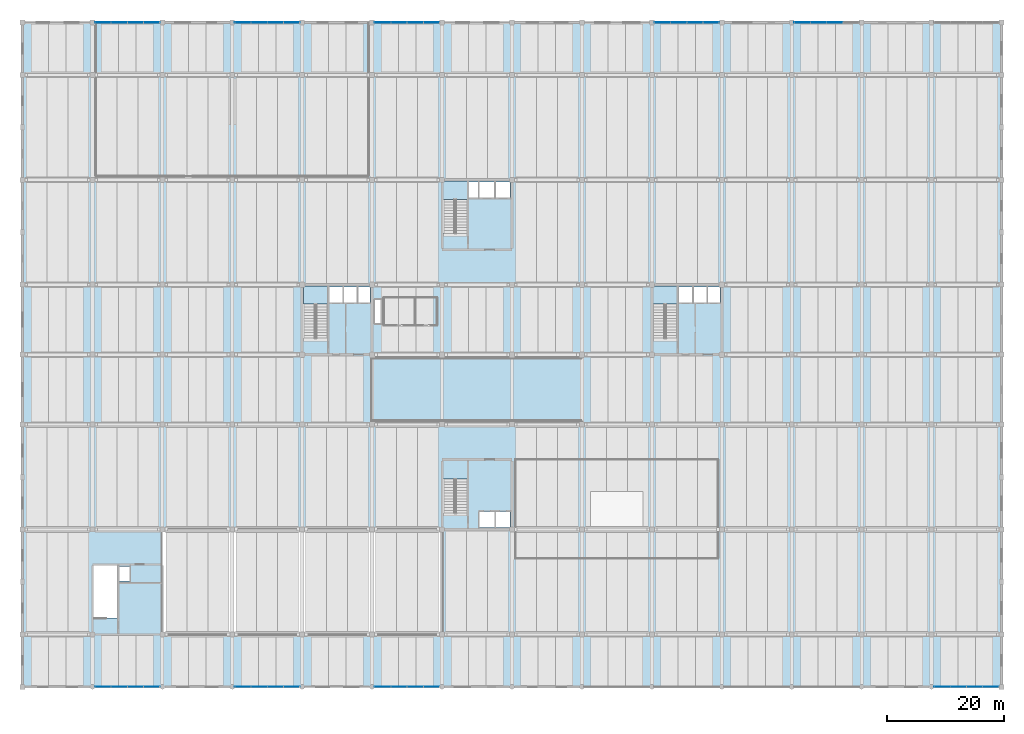
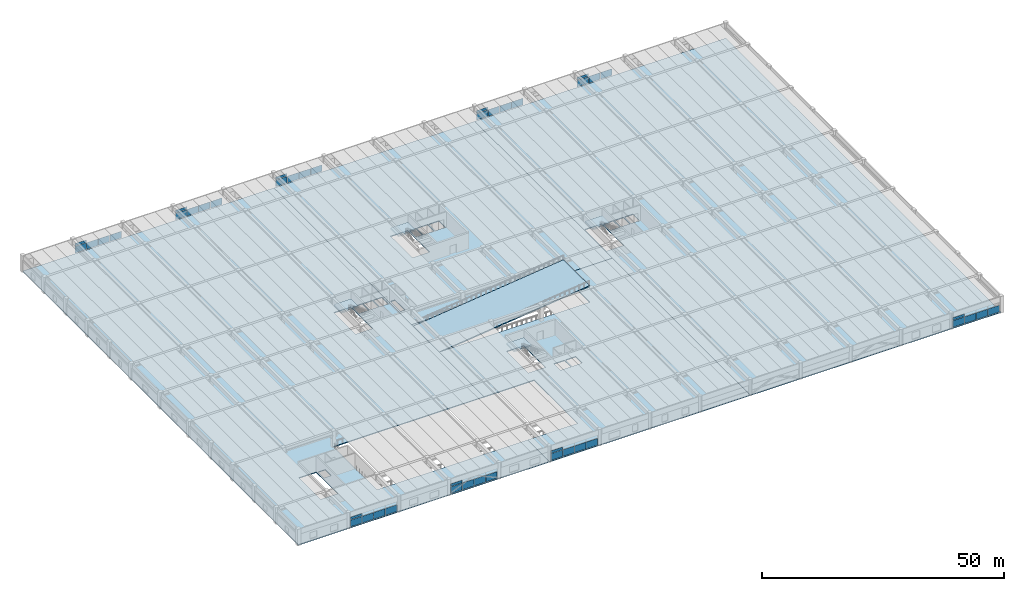
# One storey, part 31 of 50: 44 plates, 9 slabs, 13 elements without a shape of their own.
"""IFC4 building model written with IfcOpenShell, lengths in metres."""

from ifc_helpers import new_model, si_unit, direction, frame, origin, origin_2d, place, context, subcontext, project, spatial, polyline, rectangle, outline, extrude, material, layer, layer_set, type_object, element, aggregate, save


model = new_model("IFC4")

# Units and contexts
model_context = context("Model", 3, precision=1e-05, world=origin(), true_north=direction((0.0, 1.0)))
body_context = subcontext(model_context, "Body", "Model", "MODEL_VIEW")
ifc_project = project(units=[si_unit("LENGTHUNIT", "METRE"), si_unit("AREAUNIT", "SQUARE_METRE"), si_unit("VOLUMEUNIT", "CUBIC_METRE"), si_unit("PLANEANGLEUNIT", "RADIAN"), si_unit("MASSUNIT", "GRAM", prefix="KILO")], contexts=[model_context])

# Site, building, storey
site_placement = place(None, origin())
site = spatial("IfcSite", under=ifc_project, at=site_placement, CompositionType="ELEMENT")
building_placement = place(site_placement, origin())
building = spatial("IfcBuilding", under=site, at=building_placement, Name="Girod Span Mobility Hub", CompositionType="ELEMENT")
storey_placement = place(building_placement, frame((0.0, 0.0, 5.39990234375)))
storey = spatial("IfcBuildingStorey", under=building, at=storey_placement, Name="L01", CompositionType="ELEMENT", Elevation=5.39990234375)

# Curtain wall, plate
ifc_material_1 = material(Name="Thermally Broken Anodised Aluminium", Category="aluminium")
curtain_wall_type = type_object("IfcCurtainWallType", Name="CW-1115X269", PredefinedType="USERDEFINED", material=ifc_material_1)
curtain_wall_1_placement = place(storey_placement, origin())
curtain_wall_1 = element("IfcCurtainWall", 1, at=curtain_wall_1_placement, inside=storey, type_object=curtain_wall_type, Name="Concourse Storefront CW-L01-S02 L01", ObjectType="CONCOURSE STOREFRONT", PredefinedType="USERDEFINED")
ifc_material_2 = material(Name="Double Low-E Insulated Glazing", Category="glass")
ifc_layer_1 = layer(ifc_material_2, 0.048095703125)
ifc_layer_set_1 = layer_set([ifc_layer_1], Name="Double Low-E Insulated Glazing")
plate_type_1 = type_object("IfcPlateType", Name="PLT-SPN-2719X673X48", PredefinedType="CURTAIN_PANEL", material=ifc_layer_set_1)
plate_1_placement = place(storey_placement, frame((13.817138671875, 0.0, 1.936767578125), z_axis=(0.0, 0.0, 1.0), x_axis=(1.0, 0.0, 0.0)))
plate_1 = element("IfcPlate", 2, at=plate_1_placement, type_object=plate_type_1, Name="Spandrel Glazing Panel CW-L01-S02-S1", PredefinedType="CURTAIN_PANEL", context=body_context, shape_type="SweptSolid", body=[
    extrude(rectangle(XDim=2.724609375, YDim=0.048095703125, at=origin_2d()), origin(), (0.0, 0.0, 1.0), 0.63330078125),
])

curtain_wall_2_placement = place(storey_placement, origin())
curtain_wall_2 = element("IfcCurtainWall", 3, at=curtain_wall_2_placement, inside=storey, type_object=curtain_wall_type, Name="Concourse Storefront CW-L01-S04 L01", ObjectType="CONCOURSE STOREFRONT", PredefinedType="USERDEFINED")
plate_2_placement = place(storey_placement, frame((37.817138671875, 0.0, 1.936767578125), z_axis=(0.0, 0.0, 1.0), x_axis=(1.0, 0.0, 0.0)))
plate_2 = element("IfcPlate", 4, at=plate_2_placement, type_object=plate_type_1, Name="Spandrel Glazing Panel CW-L01-S04-S1", PredefinedType="CURTAIN_PANEL", context=body_context, shape_type="SweptSolid", body=[
    extrude(rectangle(XDim=2.724609375, YDim=0.048095703125, at=origin_2d()), origin(), (0.0, 0.0, 1.0), 0.63330078125),
])

curtain_wall_3_placement = place(storey_placement, origin())
curtain_wall_3 = element("IfcCurtainWall", 5, at=curtain_wall_3_placement, inside=storey, type_object=curtain_wall_type, Name="Concourse Storefront CW-L01-S06 L01", ObjectType="CONCOURSE STOREFRONT", PredefinedType="USERDEFINED")
plate_3_placement = place(storey_placement, frame((61.817138671875, 0.0, 1.936767578125), z_axis=(0.0, 0.0, 1.0), x_axis=(1.0, 0.0, 0.0)))
plate_3 = element("IfcPlate", 6, at=plate_3_placement, type_object=plate_type_1, Name="Spandrel Glazing Panel CW-L01-S06-S1", PredefinedType="CURTAIN_PANEL", context=body_context, shape_type="SweptSolid", body=[
    extrude(rectangle(XDim=2.724609375, YDim=0.048095703125, at=origin_2d()), origin(), (0.0, 0.0, 1.0), 0.63330078125),
])

curtain_wall_4_placement = place(storey_placement, origin())
curtain_wall_4 = element("IfcCurtainWall", 7, at=curtain_wall_4_placement, inside=storey, type_object=curtain_wall_type, Name="Concourse Storefront CW-L01-S14 L01", ObjectType="CONCOURSE STOREFRONT", PredefinedType="USERDEFINED")
plate_4_placement = place(storey_placement, frame((157.817138671875, 0.0, 1.936767578125), z_axis=(0.0, 0.0, 1.0), x_axis=(1.0, 0.0, 0.0)))
plate_4 = element("IfcPlate", 8, at=plate_4_placement, type_object=plate_type_1, Name="Spandrel Glazing Panel CW-L01-S14-S1", PredefinedType="CURTAIN_PANEL", context=body_context, shape_type="SweptSolid", body=[
    extrude(rectangle(XDim=2.724609375, YDim=0.048095703125, at=origin_2d()), origin(), (0.0, 0.0, 1.0), 0.63330078125),
])

curtain_wall_5_placement = place(storey_placement, origin())
curtain_wall_5 = element("IfcCurtainWall", 9, at=curtain_wall_5_placement, inside=storey, type_object=curtain_wall_type, Name="Concourse Storefront CW-L01-N02 L01", ObjectType="CONCOURSE STOREFRONT", PredefinedType="USERDEFINED")
plate_5_placement = place(storey_placement, frame((13.817138671875, 114.0, 1.936767578125), z_axis=(0.0, 0.0, 1.0), x_axis=(1.0, 0.0, 0.0)))
plate_5 = element("IfcPlate", 10, at=plate_5_placement, type_object=plate_type_1, Name="Spandrel Glazing Panel CW-L01-N02-S1", PredefinedType="CURTAIN_PANEL", context=body_context, shape_type="SweptSolid", body=[
    extrude(rectangle(XDim=2.724609375, YDim=0.048095703125, at=origin_2d()), origin(), (0.0, 0.0, 1.0), 0.63330078125),
])

curtain_wall_6_placement = place(storey_placement, origin())
curtain_wall_6 = element("IfcCurtainWall", 11, at=curtain_wall_6_placement, inside=storey, type_object=curtain_wall_type, Name="Concourse Storefront CW-L01-N04 L01", ObjectType="CONCOURSE STOREFRONT", PredefinedType="USERDEFINED")
plate_6_placement = place(storey_placement, frame((37.817138671875, 114.0, 1.936767578125), z_axis=(0.0, 0.0, 1.0), x_axis=(1.0, 0.0, 0.0)))
plate_6 = element("IfcPlate", 12, at=plate_6_placement, type_object=plate_type_1, Name="Spandrel Glazing Panel CW-L01-N04-S1", PredefinedType="CURTAIN_PANEL", context=body_context, shape_type="SweptSolid", body=[
    extrude(rectangle(XDim=2.724609375, YDim=0.048095703125, at=origin_2d()), origin(), (0.0, 0.0, 1.0), 0.63330078125),
])

curtain_wall_7_placement = place(storey_placement, origin())
curtain_wall_7 = element("IfcCurtainWall", 13, at=curtain_wall_7_placement, inside=storey, type_object=curtain_wall_type, Name="Concourse Storefront CW-L01-N06 L01", ObjectType="CONCOURSE STOREFRONT", PredefinedType="USERDEFINED")
plate_7_placement = place(storey_placement, frame((61.817138671875, 114.0, 1.936767578125), z_axis=(0.0, 0.0, 1.0), x_axis=(1.0, 0.0, 0.0)))
plate_7 = element("IfcPlate", 14, at=plate_7_placement, type_object=plate_type_1, Name="Spandrel Glazing Panel CW-L01-N06-S1", PredefinedType="CURTAIN_PANEL", context=body_context, shape_type="SweptSolid", body=[
    extrude(rectangle(XDim=2.724609375, YDim=0.048095703125, at=origin_2d()), origin(), (0.0, 0.0, 1.0), 0.63330078125),
])

curtain_wall_8_placement = place(storey_placement, origin())
curtain_wall_8 = element("IfcCurtainWall", 15, at=curtain_wall_8_placement, inside=storey, type_object=curtain_wall_type, Name="Concourse Storefront CW-L01-N10 L01", ObjectType="CONCOURSE STOREFRONT", PredefinedType="USERDEFINED")
plate_8_placement = place(storey_placement, frame((109.817138671875, 114.0, 1.936767578125), z_axis=(0.0, 0.0, 1.0), x_axis=(1.0, 0.0, 0.0)))
plate_8 = element("IfcPlate", 16, at=plate_8_placement, type_object=plate_type_1, Name="Spandrel Glazing Panel CW-L01-N10-S1", PredefinedType="CURTAIN_PANEL", context=body_context, shape_type="SweptSolid", body=[
    extrude(rectangle(XDim=2.724609375, YDim=0.048095703125, at=origin_2d()), origin(), (0.0, 0.0, 1.0), 0.63330078125),
])

curtain_wall_9_placement = place(storey_placement, origin())
curtain_wall_9 = element("IfcCurtainWall", 17, at=curtain_wall_9_placement, inside=storey, type_object=curtain_wall_type, Name="Concourse Storefront CW-L01-N12 L01", ObjectType="CONCOURSE STOREFRONT", PredefinedType="USERDEFINED")
plate_9_placement = place(storey_placement, frame((133.817138671875, 114.0, 1.936767578125), z_axis=(0.0, 0.0, 1.0), x_axis=(1.0, 0.0, 0.0)))
plate_9 = element("IfcPlate", 18, at=plate_9_placement, type_object=plate_type_1, Name="Spandrel Glazing Panel CW-L01-N12-S1", PredefinedType="CURTAIN_PANEL", context=body_context, shape_type="SweptSolid", body=[
    extrude(rectangle(XDim=2.724609375, YDim=0.048095703125, at=origin_2d()), origin(), (0.0, 0.0, 1.0), 0.63330078125),
])

# Plate
ifc_material_3 = material(Name="Double Low-E Insulated Glazing", Category="glass")
ifc_layer_2 = layer(ifc_material_3, 0.035888671875)
ifc_layer_set_2 = layer_set([ifc_layer_2], Name="Double Low-E Insulated Glazing")
plate_type_2 = type_object("IfcPlateType", Name="PLT-VIS-2719X1937X36", PredefinedType="CURTAIN_PANEL", material=ifc_layer_set_2)
plate_10_placement = place(storey_placement, frame((13.817138671875, 0.0, 0.14013671875), z_axis=(0.0, 0.0, 1.0), x_axis=(1.0, 0.0, 0.0)))
plate_10 = element("IfcPlate", 19, at=plate_10_placement, type_object=plate_type_2, Name="Vision Glazing Panel CW-L01-S02-V1", PredefinedType="CURTAIN_PANEL", context=body_context, shape_type="SweptSolid", body=[
    extrude(rectangle(XDim=2.724609375, YDim=0.035888671875, at=origin_2d()), origin(), (0.0, 0.0, 1.0), 1.6767578125),
])

plate_11_placement = place(storey_placement, frame((16.605712890625, 0.0, 0.14013671875), z_axis=(0.0, 0.0, 1.0), x_axis=(1.0, 0.0, 0.0)))
plate_11 = element("IfcPlate", 20, at=plate_11_placement, type_object=plate_type_2, Name="Vision Glazing Panel CW-L01-S02-V2", PredefinedType="CURTAIN_PANEL", context=body_context, shape_type="SweptSolid", body=[
    extrude(rectangle(XDim=2.724609375, YDim=0.035888671875, at=origin_2d()), origin(), (0.0, 0.0, 1.0), 1.6767578125),
])

plate_12_placement = place(storey_placement, frame((19.394287109375, 0.0, 0.14013671875), z_axis=(0.0, 0.0, 1.0), x_axis=(1.0, 0.0, 0.0)))
plate_12 = element("IfcPlate", 21, at=plate_12_placement, type_object=plate_type_2, Name="Vision Glazing Panel CW-L01-S02-V3", PredefinedType="CURTAIN_PANEL", context=body_context, shape_type="SweptSolid", body=[
    extrude(rectangle(XDim=2.724609375, YDim=0.035888671875, at=origin_2d()), origin(), (0.0, 0.0, 1.0), 1.6767578125),
])

plate_13_placement = place(storey_placement, frame((22.182861328125, 0.0, 0.14013671875), z_axis=(0.0, 0.0, 1.0), x_axis=(1.0, 0.0, 0.0)))
plate_13 = element("IfcPlate", 22, at=plate_13_placement, type_object=plate_type_2, Name="Vision Glazing Panel CW-L01-S02-V4", PredefinedType="CURTAIN_PANEL", context=body_context, shape_type="SweptSolid", body=[
    extrude(rectangle(XDim=2.724609375, YDim=0.035888671875, at=origin_2d()), origin(), (0.0, 0.0, 1.0), 1.6767578125),
])

aggregate(curtain_wall_1, [plate_10, plate_1, plate_11, plate_12, plate_13])

plate_14_placement = place(storey_placement, frame((37.817138671875, 0.0, 0.14013671875), z_axis=(0.0, 0.0, 1.0), x_axis=(1.0, 0.0, 0.0)))
plate_14 = element("IfcPlate", 23, at=plate_14_placement, type_object=plate_type_2, Name="Vision Glazing Panel CW-L01-S04-V1", PredefinedType="CURTAIN_PANEL", context=body_context, shape_type="SweptSolid", body=[
    extrude(rectangle(XDim=2.724609375, YDim=0.035888671875, at=origin_2d()), origin(), (0.0, 0.0, 1.0), 1.6767578125),
])

plate_15_placement = place(storey_placement, frame((40.605712890625, 0.0, 0.14013671875), z_axis=(0.0, 0.0, 1.0), x_axis=(1.0, 0.0, 0.0)))
plate_15 = element("IfcPlate", 24, at=plate_15_placement, type_object=plate_type_2, Name="Vision Glazing Panel CW-L01-S04-V2", PredefinedType="CURTAIN_PANEL", context=body_context, shape_type="SweptSolid", body=[
    extrude(rectangle(XDim=2.724609375, YDim=0.035888671875, at=origin_2d()), origin(), (0.0, 0.0, 1.0), 1.6767578125),
])

plate_16_placement = place(storey_placement, frame((43.394287109375, 0.0, 0.14013671875), z_axis=(0.0, 0.0, 1.0), x_axis=(1.0, 0.0, 0.0)))
plate_16 = element("IfcPlate", 25, at=plate_16_placement, type_object=plate_type_2, Name="Vision Glazing Panel CW-L01-S04-V3", PredefinedType="CURTAIN_PANEL", context=body_context, shape_type="SweptSolid", body=[
    extrude(rectangle(XDim=2.724609375, YDim=0.035888671875, at=origin_2d()), origin(), (0.0, 0.0, 1.0), 1.6767578125),
])

plate_17_placement = place(storey_placement, frame((46.182861328125, 0.0, 0.14013671875), z_axis=(0.0, 0.0, 1.0), x_axis=(1.0, 0.0, 0.0)))
plate_17 = element("IfcPlate", 26, at=plate_17_placement, type_object=plate_type_2, Name="Vision Glazing Panel CW-L01-S04-V4", PredefinedType="CURTAIN_PANEL", context=body_context, shape_type="SweptSolid", body=[
    extrude(rectangle(XDim=2.724609375, YDim=0.035888671875, at=origin_2d()), origin(), (0.0, 0.0, 1.0), 1.6767578125),
])

aggregate(curtain_wall_2, [plate_14, plate_2, plate_15, plate_16, plate_17])

plate_18_placement = place(storey_placement, frame((61.817138671875, 0.0, 0.14013671875), z_axis=(0.0, 0.0, 1.0), x_axis=(1.0, 0.0, 0.0)))
plate_18 = element("IfcPlate", 27, at=plate_18_placement, type_object=plate_type_2, Name="Vision Glazing Panel CW-L01-S06-V1", PredefinedType="CURTAIN_PANEL", context=body_context, shape_type="SweptSolid", body=[
    extrude(rectangle(XDim=2.724609375, YDim=0.035888671875, at=origin_2d()), origin(), (0.0, 0.0, 1.0), 1.6767578125),
])

plate_19_placement = place(storey_placement, frame((64.605712890625, 0.0, 0.14013671875), z_axis=(0.0, 0.0, 1.0), x_axis=(1.0, 0.0, 0.0)))
plate_19 = element("IfcPlate", 28, at=plate_19_placement, type_object=plate_type_2, Name="Vision Glazing Panel CW-L01-S06-V2", PredefinedType="CURTAIN_PANEL", context=body_context, shape_type="SweptSolid", body=[
    extrude(rectangle(XDim=2.724609375, YDim=0.035888671875, at=origin_2d()), origin(), (0.0, 0.0, 1.0), 1.6767578125),
])

plate_20_placement = place(storey_placement, frame((67.394287109375, 0.0, 0.14013671875), z_axis=(0.0, 0.0, 1.0), x_axis=(1.0, 0.0, 0.0)))
plate_20 = element("IfcPlate", 29, at=plate_20_placement, type_object=plate_type_2, Name="Vision Glazing Panel CW-L01-S06-V3", PredefinedType="CURTAIN_PANEL", context=body_context, shape_type="SweptSolid", body=[
    extrude(rectangle(XDim=2.724609375, YDim=0.035888671875, at=origin_2d()), origin(), (0.0, 0.0, 1.0), 1.6767578125),
])

plate_21_placement = place(storey_placement, frame((70.182861328125, 0.0, 0.14013671875), z_axis=(0.0, 0.0, 1.0), x_axis=(1.0, 0.0, 0.0)))
plate_21 = element("IfcPlate", 30, at=plate_21_placement, type_object=plate_type_2, Name="Vision Glazing Panel CW-L01-S06-V4", PredefinedType="CURTAIN_PANEL", context=body_context, shape_type="SweptSolid", body=[
    extrude(rectangle(XDim=2.724609375, YDim=0.035888671875, at=origin_2d()), origin(), (0.0, 0.0, 1.0), 1.6767578125),
])

aggregate(curtain_wall_3, [plate_18, plate_3, plate_19, plate_20, plate_21])

plate_22_placement = place(storey_placement, frame((157.817138671875, 0.0, 0.14013671875), z_axis=(0.0, 0.0, 1.0), x_axis=(1.0, 0.0, 0.0)))
plate_22 = element("IfcPlate", 31, at=plate_22_placement, type_object=plate_type_2, Name="Vision Glazing Panel CW-L01-S14-V1", PredefinedType="CURTAIN_PANEL", context=body_context, shape_type="SweptSolid", body=[
    extrude(rectangle(XDim=2.724609375, YDim=0.035888671875, at=origin_2d()), origin(), (0.0, 0.0, 1.0), 1.6767578125),
])

plate_23_placement = place(storey_placement, frame((160.605712890625, 0.0, 0.14013671875), z_axis=(0.0, 0.0, 1.0), x_axis=(1.0, 0.0, 0.0)))
plate_23 = element("IfcPlate", 32, at=plate_23_placement, type_object=plate_type_2, Name="Vision Glazing Panel CW-L01-S14-V2", PredefinedType="CURTAIN_PANEL", context=body_context, shape_type="SweptSolid", body=[
    extrude(rectangle(XDim=2.724609375, YDim=0.035888671875, at=origin_2d()), origin(), (0.0, 0.0, 1.0), 1.6767578125),
])

plate_24_placement = place(storey_placement, frame((163.394287109375, 0.0, 0.14013671875), z_axis=(0.0, 0.0, 1.0), x_axis=(1.0, 0.0, 0.0)))
plate_24 = element("IfcPlate", 33, at=plate_24_placement, type_object=plate_type_2, Name="Vision Glazing Panel CW-L01-S14-V3", PredefinedType="CURTAIN_PANEL", context=body_context, shape_type="SweptSolid", body=[
    extrude(rectangle(XDim=2.724609375, YDim=0.035888671875, at=origin_2d()), origin(), (0.0, 0.0, 1.0), 1.6767578125),
])

plate_25_placement = place(storey_placement, frame((166.182861328125, 0.0, 0.14013671875), z_axis=(0.0, 0.0, 1.0), x_axis=(1.0, 0.0, 0.0)))
plate_25 = element("IfcPlate", 34, at=plate_25_placement, type_object=plate_type_2, Name="Vision Glazing Panel CW-L01-S14-V4", PredefinedType="CURTAIN_PANEL", context=body_context, shape_type="SweptSolid", body=[
    extrude(rectangle(XDim=2.724609375, YDim=0.035888671875, at=origin_2d()), origin(), (0.0, 0.0, 1.0), 1.6767578125),
])

aggregate(curtain_wall_4, [plate_22, plate_4, plate_23, plate_24, plate_25])

plate_26_placement = place(storey_placement, frame((13.817138671875, 114.0, 0.14013671875), z_axis=(0.0, 0.0, 1.0), x_axis=(1.0, 0.0, 0.0)))
plate_26 = element("IfcPlate", 35, at=plate_26_placement, type_object=plate_type_2, Name="Vision Glazing Panel CW-L01-N02-V1", PredefinedType="CURTAIN_PANEL", context=body_context, shape_type="SweptSolid", body=[
    extrude(rectangle(XDim=2.724609375, YDim=0.035888671875, at=origin_2d()), origin(), (0.0, 0.0, 1.0), 1.6767578125),
])

plate_27_placement = place(storey_placement, frame((16.605712890625, 114.0, 0.14013671875), z_axis=(0.0, 0.0, 1.0), x_axis=(1.0, 0.0, 0.0)))
plate_27 = element("IfcPlate", 36, at=plate_27_placement, type_object=plate_type_2, Name="Vision Glazing Panel CW-L01-N02-V2", PredefinedType="CURTAIN_PANEL", context=body_context, shape_type="SweptSolid", body=[
    extrude(rectangle(XDim=2.724609375, YDim=0.035888671875, at=origin_2d()), origin(), (0.0, 0.0, 1.0), 1.6767578125),
])

plate_28_placement = place(storey_placement, frame((19.394287109375, 114.0, 0.14013671875), z_axis=(0.0, 0.0, 1.0), x_axis=(1.0, 0.0, 0.0)))
plate_28 = element("IfcPlate", 37, at=plate_28_placement, type_object=plate_type_2, Name="Vision Glazing Panel CW-L01-N02-V3", PredefinedType="CURTAIN_PANEL", context=body_context, shape_type="SweptSolid", body=[
    extrude(rectangle(XDim=2.724609375, YDim=0.035888671875, at=origin_2d()), origin(), (0.0, 0.0, 1.0), 1.6767578125),
])

plate_29_placement = place(storey_placement, frame((22.182861328125, 114.0, 0.14013671875), z_axis=(0.0, 0.0, 1.0), x_axis=(1.0, 0.0, 0.0)))
plate_29 = element("IfcPlate", 38, at=plate_29_placement, type_object=plate_type_2, Name="Vision Glazing Panel CW-L01-N02-V4", PredefinedType="CURTAIN_PANEL", context=body_context, shape_type="SweptSolid", body=[
    extrude(rectangle(XDim=2.724609375, YDim=0.035888671875, at=origin_2d()), origin(), (0.0, 0.0, 1.0), 1.6767578125),
])

aggregate(curtain_wall_5, [plate_26, plate_5, plate_27, plate_28, plate_29])

plate_30_placement = place(storey_placement, frame((37.817138671875, 114.0, 0.14013671875), z_axis=(0.0, 0.0, 1.0), x_axis=(1.0, 0.0, 0.0)))
plate_30 = element("IfcPlate", 39, at=plate_30_placement, type_object=plate_type_2, Name="Vision Glazing Panel CW-L01-N04-V1", PredefinedType="CURTAIN_PANEL", context=body_context, shape_type="SweptSolid", body=[
    extrude(rectangle(XDim=2.724609375, YDim=0.035888671875, at=origin_2d()), origin(), (0.0, 0.0, 1.0), 1.6767578125),
])

plate_31_placement = place(storey_placement, frame((40.605712890625, 114.0, 0.14013671875), z_axis=(0.0, 0.0, 1.0), x_axis=(1.0, 0.0, 0.0)))
plate_31 = element("IfcPlate", 40, at=plate_31_placement, type_object=plate_type_2, Name="Vision Glazing Panel CW-L01-N04-V2", PredefinedType="CURTAIN_PANEL", context=body_context, shape_type="SweptSolid", body=[
    extrude(rectangle(XDim=2.724609375, YDim=0.035888671875, at=origin_2d()), origin(), (0.0, 0.0, 1.0), 1.6767578125),
])

plate_32_placement = place(storey_placement, frame((43.394287109375, 114.0, 0.14013671875), z_axis=(0.0, 0.0, 1.0), x_axis=(1.0, 0.0, 0.0)))
plate_32 = element("IfcPlate", 41, at=plate_32_placement, type_object=plate_type_2, Name="Vision Glazing Panel CW-L01-N04-V3", PredefinedType="CURTAIN_PANEL", context=body_context, shape_type="SweptSolid", body=[
    extrude(rectangle(XDim=2.724609375, YDim=0.035888671875, at=origin_2d()), origin(), (0.0, 0.0, 1.0), 1.6767578125),
])

plate_33_placement = place(storey_placement, frame((46.182861328125, 114.0, 0.14013671875), z_axis=(0.0, 0.0, 1.0), x_axis=(1.0, 0.0, 0.0)))
plate_33 = element("IfcPlate", 42, at=plate_33_placement, type_object=plate_type_2, Name="Vision Glazing Panel CW-L01-N04-V4", PredefinedType="CURTAIN_PANEL", context=body_context, shape_type="SweptSolid", body=[
    extrude(rectangle(XDim=2.724609375, YDim=0.035888671875, at=origin_2d()), origin(), (0.0, 0.0, 1.0), 1.6767578125),
])

aggregate(curtain_wall_6, [plate_30, plate_6, plate_31, plate_32, plate_33])

plate_34_placement = place(storey_placement, frame((61.817138671875, 114.0, 0.14013671875), z_axis=(0.0, 0.0, 1.0), x_axis=(1.0, 0.0, 0.0)))
plate_34 = element("IfcPlate", 43, at=plate_34_placement, type_object=plate_type_2, Name="Vision Glazing Panel CW-L01-N06-V1", PredefinedType="CURTAIN_PANEL", context=body_context, shape_type="SweptSolid", body=[
    extrude(rectangle(XDim=2.724609375, YDim=0.035888671875, at=origin_2d()), origin(), (0.0, 0.0, 1.0), 1.6767578125),
])

plate_35_placement = place(storey_placement, frame((64.605712890625, 114.0, 0.14013671875), z_axis=(0.0, 0.0, 1.0), x_axis=(1.0, 0.0, 0.0)))
plate_35 = element("IfcPlate", 44, at=plate_35_placement, type_object=plate_type_2, Name="Vision Glazing Panel CW-L01-N06-V2", PredefinedType="CURTAIN_PANEL", context=body_context, shape_type="SweptSolid", body=[
    extrude(rectangle(XDim=2.724609375, YDim=0.035888671875, at=origin_2d()), origin(), (0.0, 0.0, 1.0), 1.6767578125),
])

plate_36_placement = place(storey_placement, frame((67.394287109375, 114.0, 0.14013671875), z_axis=(0.0, 0.0, 1.0), x_axis=(1.0, 0.0, 0.0)))
plate_36 = element("IfcPlate", 45, at=plate_36_placement, type_object=plate_type_2, Name="Vision Glazing Panel CW-L01-N06-V3", PredefinedType="CURTAIN_PANEL", context=body_context, shape_type="SweptSolid", body=[
    extrude(rectangle(XDim=2.724609375, YDim=0.035888671875, at=origin_2d()), origin(), (0.0, 0.0, 1.0), 1.6767578125),
])

plate_37_placement = place(storey_placement, frame((70.182861328125, 114.0, 0.14013671875), z_axis=(0.0, 0.0, 1.0), x_axis=(1.0, 0.0, 0.0)))
plate_37 = element("IfcPlate", 46, at=plate_37_placement, type_object=plate_type_2, Name="Vision Glazing Panel CW-L01-N06-V4", PredefinedType="CURTAIN_PANEL", context=body_context, shape_type="SweptSolid", body=[
    extrude(rectangle(XDim=2.724609375, YDim=0.035888671875, at=origin_2d()), origin(), (0.0, 0.0, 1.0), 1.6767578125),
])

aggregate(curtain_wall_7, [plate_34, plate_7, plate_35, plate_36, plate_37])

plate_38_placement = place(storey_placement, frame((109.817138671875, 114.0, 0.14013671875), z_axis=(0.0, 0.0, 1.0), x_axis=(1.0, 0.0, 0.0)))
plate_38 = element("IfcPlate", 47, at=plate_38_placement, type_object=plate_type_2, Name="Vision Glazing Panel CW-L01-N10-V1", PredefinedType="CURTAIN_PANEL", context=body_context, shape_type="SweptSolid", body=[
    extrude(rectangle(XDim=2.724609375, YDim=0.035888671875, at=origin_2d()), origin(), (0.0, 0.0, 1.0), 1.6767578125),
])

plate_39_placement = place(storey_placement, frame((112.605712890625, 114.0, 0.14013671875), z_axis=(0.0, 0.0, 1.0), x_axis=(1.0, 0.0, 0.0)))
plate_39 = element("IfcPlate", 48, at=plate_39_placement, type_object=plate_type_2, Name="Vision Glazing Panel CW-L01-N10-V2", PredefinedType="CURTAIN_PANEL", context=body_context, shape_type="SweptSolid", body=[
    extrude(rectangle(XDim=2.724609375, YDim=0.035888671875, at=origin_2d()), origin(), (0.0, 0.0, 1.0), 1.6767578125),
])

plate_40_placement = place(storey_placement, frame((115.394287109375, 114.0, 0.14013671875), z_axis=(0.0, 0.0, 1.0), x_axis=(1.0, 0.0, 0.0)))
plate_40 = element("IfcPlate", 49, at=plate_40_placement, type_object=plate_type_2, Name="Vision Glazing Panel CW-L01-N10-V3", PredefinedType="CURTAIN_PANEL", context=body_context, shape_type="SweptSolid", body=[
    extrude(rectangle(XDim=2.724609375, YDim=0.035888671875, at=origin_2d()), origin(), (0.0, 0.0, 1.0), 1.6767578125),
])

plate_41_placement = place(storey_placement, frame((118.182861328125, 114.0, 0.14013671875), z_axis=(0.0, 0.0, 1.0), x_axis=(1.0, 0.0, 0.0)))
plate_41 = element("IfcPlate", 50, at=plate_41_placement, type_object=plate_type_2, Name="Vision Glazing Panel CW-L01-N10-V4", PredefinedType="CURTAIN_PANEL", context=body_context, shape_type="SweptSolid", body=[
    extrude(rectangle(XDim=2.724609375, YDim=0.035888671875, at=origin_2d()), origin(), (0.0, 0.0, 1.0), 1.6767578125),
])

aggregate(curtain_wall_8, [plate_38, plate_8, plate_39, plate_40, plate_41])

plate_42_placement = place(storey_placement, frame((133.817138671875, 114.0, 0.14013671875), z_axis=(0.0, 0.0, 1.0), x_axis=(1.0, 0.0, 0.0)))
plate_42 = element("IfcPlate", 51, at=plate_42_placement, type_object=plate_type_2, Name="Vision Glazing Panel CW-L01-N12-V1", PredefinedType="CURTAIN_PANEL", context=body_context, shape_type="SweptSolid", body=[
    extrude(rectangle(XDim=2.724609375, YDim=0.035888671875, at=origin_2d()), origin(), (0.0, 0.0, 1.0), 1.6767578125),
])

plate_43_placement = place(storey_placement, frame((136.605712890625, 114.0, 0.14013671875), z_axis=(0.0, 0.0, 1.0), x_axis=(1.0, 0.0, 0.0)))
plate_43 = element("IfcPlate", 52, at=plate_43_placement, type_object=plate_type_2, Name="Vision Glazing Panel CW-L01-N12-V2", PredefinedType="CURTAIN_PANEL", context=body_context, shape_type="SweptSolid", body=[
    extrude(rectangle(XDim=2.724609375, YDim=0.035888671875, at=origin_2d()), origin(), (0.0, 0.0, 1.0), 1.6767578125),
])

plate_44_placement = place(storey_placement, frame((139.394287109375, 114.0, 0.14013671875), z_axis=(0.0, 0.0, 1.0), x_axis=(1.0, 0.0, 0.0)))
plate_44 = element("IfcPlate", 53, at=plate_44_placement, type_object=plate_type_2, Name="Vision Glazing Panel CW-L01-N12-V3", PredefinedType="CURTAIN_PANEL", context=body_context, shape_type="SweptSolid", body=[
    extrude(rectangle(XDim=2.724609375, YDim=0.035888671875, at=origin_2d()), origin(), (0.0, 0.0, 1.0), 1.6767578125),
])

aggregate(curtain_wall_9, [plate_42, plate_9, plate_43, plate_44])

# Slabs
ifc_material_4 = material(Name="Concrete C40/50", Category="concrete")
ifc_layer_3 = layer(ifc_material_4, 0.199951171875)
ifc_layer_set_3 = layer_set([ifc_layer_3], Name="Concrete C40/50")
slab_type_1 = type_object("IfcSlabType", Name="SL-FLR-200", PredefinedType="FLOOR", material=ifc_layer_set_3)
slab_1_placement = place(storey_placement, frame((0.0, 0.0, -0.199951171875)))
element("IfcSlab", 54, at=slab_1_placement, inside=storey, type_object=slab_type_1, Name="Floor Slab L01 Sector W", PredefinedType="FLOOR", context=body_context, shape_type="SweptSolid", body=[
    extrude(outline(polyline([(0.0, 114.0), (60.0, 114.0), (60.0, 56.39990234375), (60.0, 45.60009765625), (60.0, 27.0), (24.0, 27.0), (24.0, 9.0), (60.0, 9.0), (60.0, 0.0), (0.0, 0.0), (0.0, 114.0)]), holes=[polyline([(12.219970703125, 20.820068359375), (12.219970703125, 11.8349609375), (16.340087890625, 11.8349609375), (16.340087890625, 20.820068359375), (12.219970703125, 20.820068359375)]), polyline([(16.64990234375, 20.64990234375), (16.64990234375, 18.199951171875), (18.39990234375, 18.199951171875), (18.39990234375, 20.64990234375), (16.64990234375, 20.64990234375)]), polyline([(52.340087890625, 68.820068359375), (48.219970703125, 68.820068359375), (48.219970703125, 59.8349609375), (52.340087890625, 59.8349609375), (52.340087890625, 68.820068359375)]), polyline([(52.64990234375, 68.64990234375), (52.64990234375, 65.949951171875), (54.949951171875, 65.949951171875), (54.949951171875, 68.64990234375), (52.64990234375, 68.64990234375)]), polyline([(55.199951171875, 68.64990234375), (55.199951171875, 65.949951171875), (57.35009765625, 65.949951171875), (57.35009765625, 68.64990234375), (55.199951171875, 68.64990234375)]), polyline([(59.64990234375, 68.64990234375), (57.60009765625, 68.64990234375), (57.60009765625, 65.949951171875), (59.64990234375, 65.949951171875), (59.64990234375, 68.64990234375)])]), origin(), (0.0, 0.0, 1.0), 0.199951171875),
])
slab_2_placement = place(storey_placement, frame((0.0, 0.0, -0.199951171875)))
element("IfcSlab", 55, at=slab_2_placement, inside=storey, type_object=slab_type_1, Name="Floor Slab L01 Sector CS", PredefinedType="FLOOR", context=body_context, shape_type="SweptSolid", body=[
    extrude(outline(polyline([(60.0, 0.0), (60.0, 9.0), (72.0, 9.0), (72.0, 27.0), (60.0, 27.0), (60.0, 45.60009765625), (96.0, 45.60009765625), (96.0, 56.39990234375), (60.0, 56.39990234375), (60.0, 57.0), (108.0, 57.0), (108.0, 0.0), (60.0, 0.0)]), holes=[polyline([(76.340087890625, 38.820068359375), (72.219970703125, 38.820068359375), (72.219970703125, 29.8349609375), (76.340087890625, 29.8349609375), (76.340087890625, 38.820068359375)]), polyline([(78.449951171875, 30.050048828125), (78.449951171875, 27.35009765625), (81.0, 27.35009765625), (81.0, 30.050048828125), (78.449951171875, 30.050048828125)]), polyline([(81.25, 30.050048828125), (81.25, 27.35009765625), (83.64990234375, 27.35009765625), (83.64990234375, 30.050048828125), (81.25, 30.050048828125)])]), origin(), (0.0, 0.0, 1.0), 0.199951171875),
])
slab_3_placement = place(storey_placement, frame((0.0, 0.0, -0.199951171875)))
element("IfcSlab", 56, at=slab_3_placement, inside=storey, type_object=slab_type_1, Name="Floor Slab L01 Sector CN", PredefinedType="FLOOR", context=body_context, shape_type="SweptSolid", body=[
    extrude(outline(polyline([(108.0, 114.0), (108.0, 57.0), (60.0, 57.0), (60.0, 114.0), (108.0, 114.0)]), holes=[polyline([(60.449951171875, 66.449951171875), (60.449951171875, 62.35009765625), (61.47998046875, 62.35009765625), (61.47998046875, 66.449951171875), (60.449951171875, 66.449951171875)]), polyline([(76.340087890625, 86.820068359375), (72.219970703125, 86.820068359375), (72.219970703125, 77.8349609375), (76.340087890625, 77.8349609375), (76.340087890625, 86.820068359375)]), polyline([(76.64990234375, 86.64990234375), (76.64990234375, 83.949951171875), (78.14990234375, 83.949951171875), (78.14990234375, 86.64990234375), (76.64990234375, 86.64990234375)]), polyline([(80.949951171875, 86.64990234375), (78.39990234375, 86.64990234375), (78.39990234375, 83.949951171875), (80.949951171875, 83.949951171875), (80.949951171875, 86.64990234375)]), polyline([(83.64990234375, 86.64990234375), (81.199951171875, 86.64990234375), (81.199951171875, 83.949951171875), (83.64990234375, 83.949951171875), (83.64990234375, 86.64990234375)])]), origin(), (0.0, 0.0, 1.0), 0.199951171875),
])
slab_4_placement = place(storey_placement, frame((0.0, 0.0, -0.199951171875)))
element("IfcSlab", 57, at=slab_4_placement, inside=storey, type_object=slab_type_1, Name="Floor Slab L01 Sector E", PredefinedType="FLOOR", context=body_context, shape_type="SweptSolid", body=[
    extrude(outline(polyline([(168.0, 114.0), (168.0, 0.0), (108.0, 0.0), (108.0, 114.0), (168.0, 114.0)]), holes=[polyline([(112.340087890625, 68.820068359375), (108.219970703125, 68.820068359375), (108.219970703125, 59.8349609375), (112.340087890625, 59.8349609375), (112.340087890625, 68.820068359375)]), polyline([(114.949951171875, 68.64990234375), (112.64990234375, 68.64990234375), (112.64990234375, 65.949951171875), (114.949951171875, 65.949951171875), (114.949951171875, 68.64990234375)]), polyline([(115.199951171875, 68.64990234375), (115.199951171875, 65.949951171875), (117.35009765625, 65.949951171875), (117.35009765625, 68.64990234375), (115.199951171875, 68.64990234375)]), polyline([(117.60009765625, 68.64990234375), (117.60009765625, 65.949951171875), (119.64990234375, 65.949951171875), (119.64990234375, 68.64990234375), (117.60009765625, 68.64990234375)])]), origin(), (0.0, 0.0, 1.0), 0.199951171875),
])

# Stair, slab
ifc_material_5 = material(Name="Concrete C40/50", Category="concrete")
stair_type = type_object("IfcStairType", Name="STR-4200-W1860", PredefinedType="HALF_TURN_STAIR", material=ifc_material_5)
stair_1_placement = place(storey_placement, origin())
stair_1 = element("IfcStair", 58, at=stair_1_placement, inside=storey, type_object=stair_type, Name="Exit Stair ST-1 L01", PredefinedType="HALF_TURN_STAIR")
ifc_material_6 = material(Name="Concrete C40/50", Category="concrete")
ifc_layer_4 = layer(ifc_material_6, 0.3798828125)
ifc_layer_set_4 = layer_set([ifc_layer_4], Name="Concrete C40/50")
slab_type_2 = type_object("IfcSlabType", Name="SL-LND-380", PredefinedType="LANDING", material=ifc_layer_set_4)
slab_5_placement = place(storey_placement, frame((0.0, 0.0, 1.72021484375)))
slab_5 = element("IfcSlab", 59, at=slab_5_placement, type_object=slab_type_2, Name="Stair ST-1 Half-Landing L01", PredefinedType="LANDING", context=body_context, shape_type="SweptSolid", body=[
    extrude(outline(polyline([(52.3349609375, 65.656005859375), (52.3349609375, 68.784912109375), (48.215087890625, 68.784912109375), (48.215087890625, 65.656005859375), (52.3349609375, 65.656005859375)])), origin(), (0.0, 0.0, 1.0), 0.3798828125),
])
aggregate(stair_1, [slab_5])

stair_2_placement = place(storey_placement, origin())
stair_2 = element("IfcStair", 60, at=stair_2_placement, inside=storey, type_object=stair_type, Name="Exit Stair ST-2 L01", PredefinedType="HALF_TURN_STAIR")
slab_6_placement = place(storey_placement, frame((0.0, 0.0, 1.72021484375)))
slab_6 = element("IfcSlab", 61, at=slab_6_placement, type_object=slab_type_2, Name="Stair ST-2 Half-Landing L01", PredefinedType="LANDING", context=body_context, shape_type="SweptSolid", body=[
    extrude(outline(polyline([(112.3349609375, 65.656005859375), (112.3349609375, 68.784912109375), (108.215087890625, 68.784912109375), (108.215087890625, 65.656005859375), (112.3349609375, 65.656005859375)])), origin(), (0.0, 0.0, 1.0), 0.3798828125),
])
aggregate(stair_2, [slab_6])

stair_3_placement = place(storey_placement, origin())
stair_3 = element("IfcStair", 62, at=stair_3_placement, inside=storey, type_object=stair_type, Name="Exit Stair ST-3 L01", PredefinedType="HALF_TURN_STAIR")
slab_7_placement = place(storey_placement, frame((0.0, 0.0, 1.72021484375)))
slab_7 = element("IfcSlab", 63, at=slab_7_placement, type_object=slab_type_2, Name="Stair ST-3 Half-Landing L01", PredefinedType="LANDING", context=body_context, shape_type="SweptSolid", body=[
    extrude(outline(polyline([(76.3349609375, 35.656005859375), (76.3349609375, 38.81005859375), (72.18994140625, 38.81005859375), (72.18994140625, 35.656005859375), (76.3349609375, 35.656005859375)])), origin(), (0.0, 0.0, 1.0), 0.3798828125),
])
aggregate(stair_3, [slab_7])

stair_4_placement = place(storey_placement, origin())
stair_4 = element("IfcStair", 64, at=stair_4_placement, inside=storey, type_object=stair_type, Name="Exit Stair ST-4 L01", PredefinedType="HALF_TURN_STAIR")
slab_8_placement = place(storey_placement, frame((0.0, 0.0, 1.72021484375)))
slab_8 = element("IfcSlab", 65, at=slab_8_placement, type_object=slab_type_2, Name="Stair ST-4 Half-Landing L01", PredefinedType="LANDING", context=body_context, shape_type="SweptSolid", body=[
    extrude(outline(polyline([(76.3349609375, 83.656005859375), (76.3349609375, 86.81005859375), (72.18994140625, 86.81005859375), (72.18994140625, 83.656005859375), (76.3349609375, 83.656005859375)])), origin(), (0.0, 0.0, 1.0), 0.3798828125),
])
aggregate(stair_4, [slab_8])

# Slab
ifc_material_7 = material(Name="Concrete C40/50", Category="concrete")
ifc_layer_5 = layer(ifc_material_7, 0.280029296875)
ifc_layer_set_5 = layer_set([ifc_layer_5], Name="Concrete C40/50")
slab_type_3 = type_object("IfcSlabType", Name="SL-RAMP-280", PredefinedType="USERDEFINED", material=ifc_layer_set_5)
slab_9_placement = place(storey_placement, frame((60.050048828125, 45.60009765625, 0.0), z_axis=(-0.11614088564, 0.0, 0.993232749502), x_axis=(0.993232749502, 0.0, 0.11614088564)))
element("IfcSlab", 66, at=slab_9_placement, inside=storey, type_object=slab_type_3, Name="Two-Way Express Vehicular Ramp L01 to L02", ObjectType="VEHICULAR RAMP", PredefinedType="USERDEFINED", context=body_context, shape_type="SweptSolid", body=[
    extrude(outline(polyline([(0.0, 0.0), (36.16465716924813, 0.0), (36.16465716924813, 10.799804687500002), (0.0, 10.799804687500002), (0.0, 0.0)])), origin(), (0.0, 0.0, -1.0), 0.280029296875),
])

save(model, "model.ifc")
